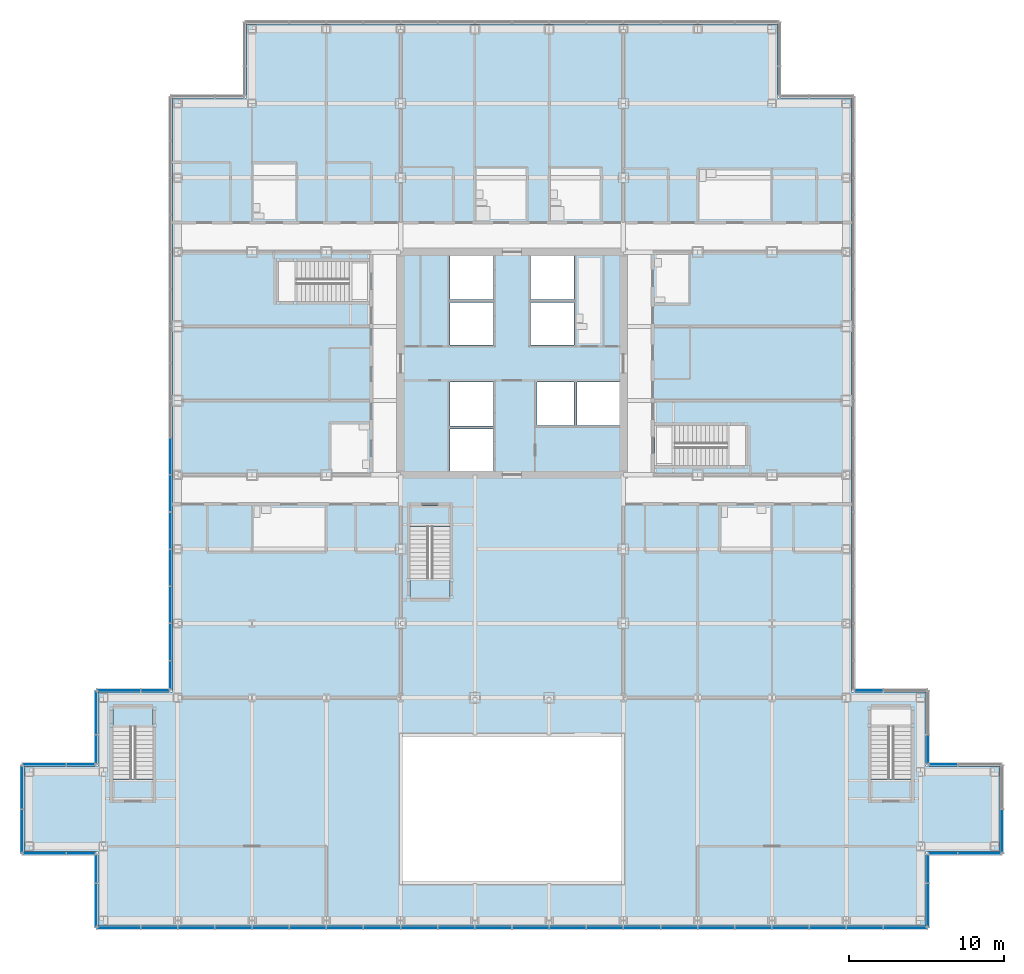
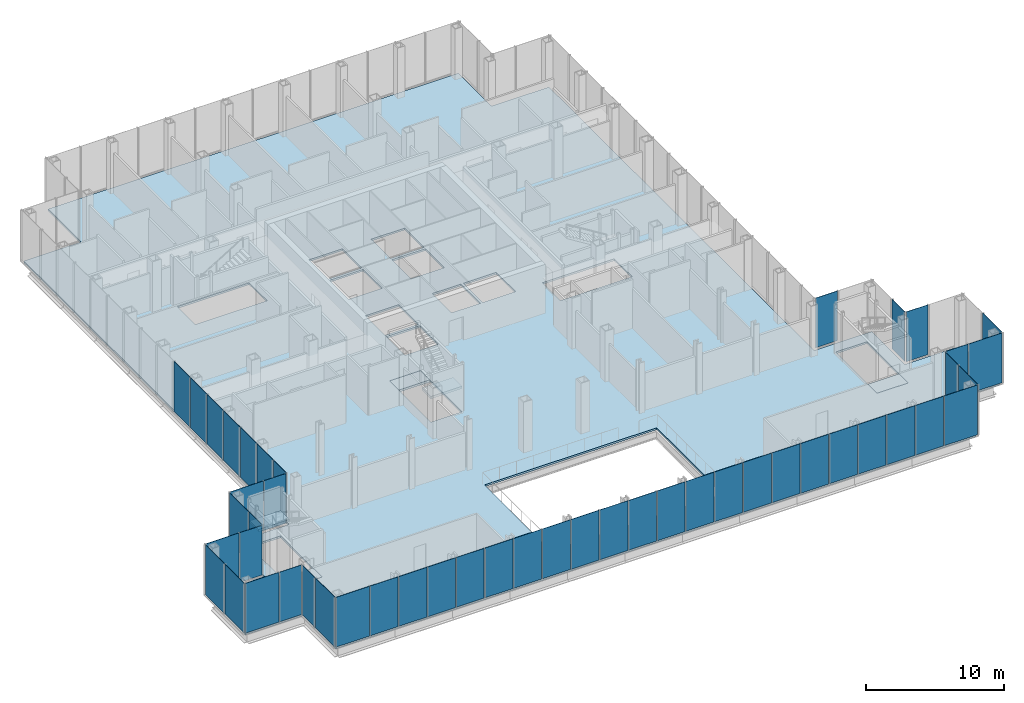
# One storey, part 17 of 25: 49 plates, 6 slabs, 17 elements without a shape of their own.
"""IFC4 building model written with IfcOpenShell, lengths in metres."""

import ifcopenshell
import ifcopenshell.guid

model = None  # the IFC model being written
_history = None  # IfcOwnerHistory: only IFC2X3 demands one
_inside = {}  # id of a spatial element -> (the spatial element, [elements in it])
_under = {}  # id of a project, library or spatial element -> (it, [spatial elements below it])
_declared = {}  # id of a project -> (the project, [libraries it declares])
_typed = {}  # id of a type object -> (the type object, [elements of that type])
_made_of = {}  # id of a material, layer set ... -> (it, [elements and type objects made of it])


def new_model(schema):
    """Start an empty IFC model of exactly this schema.

    Asked for "IFC4X3", IfcOpenShell would pick the latest addendum, in which some entities
    have other attributes; the version numbers below select the first issue.
    IFC2X3 requires an IfcOwnerHistory on every rooted entity: one is made here for all.
    """
    global model, _history
    if schema == "IFC4X3":
        model = ifcopenshell.file(schema_version=(4, 3, 0, 0))
    else:
        model = ifcopenshell.file(schema=schema)
    _inside.clear()
    _under.clear()
    _declared.clear()
    _typed.clear()
    _made_of.clear()
    _history = None
    if model.schema == "IFC2X3":
        org = make("IfcOrganization", Name="unknown")
        user = make(
            "IfcPersonAndOrganization",
            ThePerson=make("IfcPerson", FamilyName="unknown"),
            TheOrganization=org,
        )
        app = make(
            "IfcApplication",
            ApplicationDeveloper=org,
            Version="unknown",
            ApplicationFullName="unknown",
            ApplicationIdentifier="unknown",
        )
        _history = make(
            "IfcOwnerHistory",
            OwningUser=user,
            OwningApplication=app,
            ChangeAction="ADDED",
            CreationDate=0,
        )
    return model


def make(cls, **values):
    """One entity of the class cls with the attributes given. An attribute that is None is left unset."""
    return model.create_entity(
        cls, **{name: value for name, value in values.items() if value is not None}
    )


def rooted(cls, **values):
    """An entity with a GlobalId (a new one), such as an element, a storey or a relation."""
    return make(cls, GlobalId=ifcopenshell.guid.new(), OwnerHistory=_history, **values)


def si_unit(unit_type, name, prefix=None):
    """IfcSIUnit, for example si_unit("LENGTHUNIT", "METRE", prefix="MILLI")."""
    return make("IfcSIUnit", UnitType=unit_type, Prefix=prefix, Name=name)


def assignment(units):
    """IfcUnitAssignment: the units of a project."""
    return None if units is None else make("IfcUnitAssignment", Units=units)


def point(xyz):
    """IfcCartesianPoint."""
    return None if xyz is None else make("IfcCartesianPoint", Coordinates=xyz)


def direction(xyz):
    """IfcDirection."""
    return None if xyz is None else make("IfcDirection", DirectionRatios=xyz)


def frame(location, z_axis=None, x_axis=None):
    """IfcAxis2Placement3D, a coordinate frame: its origin and axes. An axis left out is left unset."""
    return make(
        "IfcAxis2Placement3D",
        Location=point(location),
        Axis=direction(z_axis),
        RefDirection=direction(x_axis),
    )


def frame_2d(location, x_axis=None):
    """IfcAxis2Placement2D, a coordinate frame in the plane: its origin and x axis."""
    return make(
        "IfcAxis2Placement2D", Location=point(location), RefDirection=direction(x_axis)
    )


def origin():
    """The frame at (0, 0, 0) with its axes left unset."""
    return frame((0.0, 0.0, 0.0))


def origin_2d():
    """The frame at (0, 0) in the plane with its x axis left unset."""
    return frame_2d((0.0, 0.0))


def place(relative_to, where):
    """IfcLocalPlacement: puts the frame where relative to a parent placement (None: the world)."""
    return make(
        "IfcLocalPlacement", PlacementRelTo=relative_to, RelativePlacement=where
    )


def context(
    kind, dimensions, precision=None, world=None, true_north=None, identifier=None
):
    """IfcGeometricRepresentationContext, for example the 3D "Model" context."""
    return make(
        "IfcGeometricRepresentationContext",
        ContextIdentifier=identifier,
        ContextType=kind,
        CoordinateSpaceDimension=dimensions,
        Precision=precision,
        WorldCoordinateSystem=world,
        TrueNorth=true_north,
    )


def subcontext(parent, identifier, kind, view, scale=None):
    """IfcGeometricRepresentationSubContext, for example "Body" below "Model"."""
    return make(
        "IfcGeometricRepresentationSubContext",
        ContextIdentifier=identifier,
        ContextType=kind,
        ParentContext=parent,
        TargetScale=scale,
        TargetView=view,
    )


def project(units=None, contexts=None):
    """IfcProject with its units and contexts."""
    return rooted(
        "IfcProject",
        Name="project",
        RepresentationContexts=contexts,
        UnitsInContext=assignment(units),
    )


def spatial(cls, under=None, at=None, **own):
    """A site, building, storey or space (cls), placed at a placement, below another one or the project."""
    s = rooted(cls, ObjectPlacement=at, **own)
    if under is not None:
        _under.setdefault(under.id(), (under, []))[1].append(s)
    return s


def polyline(points):
    """IfcPolyline through the points."""
    return make("IfcPolyline", Points=[point(p) for p in points])


def profile(cls, at=None, kind="AREA", **sizes):
    """A parametric profile (cls). Its sizes go by their IFC names, for example OverallWidth=200.0."""
    return make(cls, ProfileType=kind, Position=at, **sizes)


def rectangle(**sizes):
    """IfcRectangleProfileDef."""
    return profile("IfcRectangleProfileDef", **sizes)


def outline(outer, holes=None, kind="AREA"):
    """IfcArbitraryClosedProfileDef: a profile drawn as a closed curve; with holes, ...WithVoids."""
    if holes is None:
        return make("IfcArbitraryClosedProfileDef", ProfileType=kind, OuterCurve=outer)
    return make(
        "IfcArbitraryProfileDefWithVoids",
        ProfileType=kind,
        OuterCurve=outer,
        InnerCurves=holes,
    )


def extrude(swept, where, along, depth):
    """IfcExtrudedAreaSolid: the profile swept, set in the frame where, extruded along a direction by depth."""
    return make(
        "IfcExtrudedAreaSolid",
        SweptArea=swept,
        Position=where,
        ExtrudedDirection=direction(along),
        Depth=depth,
    )


def shape(context_of_items, identifier, shape_type, items):
    """IfcShapeRepresentation: the items that make up one representation, for example the "Body"."""
    return make(
        "IfcShapeRepresentation",
        ContextOfItems=context_of_items,
        RepresentationIdentifier=identifier,
        RepresentationType=shape_type,
        Items=items,
    )


def material(Name=None, Category=None):
    """IfcMaterial."""
    return make("IfcMaterial", Name=Name, Category=Category)


def layer(
    of_material, thickness, ventilated=None, Name=None, Category=None, Priority=None
):
    """IfcMaterialLayer: one layer of a wall or slab, of a material (None: an air gap)."""
    return make(
        "IfcMaterialLayer",
        Material=of_material,
        LayerThickness=thickness,
        IsVentilated=ventilated,
        Name=Name,
        Category=Category,
        Priority=Priority,
    )


def layer_set(layers, Name=None):
    """IfcMaterialLayerSet."""
    return make("IfcMaterialLayerSet", MaterialLayers=layers, LayerSetName=Name)


def made_of(thing, what):
    """Note that an element or type object is made of a material, layer set ...; save() writes the relation."""
    if what is not None:
        _made_of.setdefault(what.id(), (what, []))[1].append(thing)
    return thing


def type_object(cls, material=None, **own):
    """A type object (cls), such as IfcWallType, which elements share."""
    return made_of(rooted(cls, **own), material)


def element(
    cls,
    number,
    at=None,
    inside=None,
    cuts=None,
    type_object=None,
    material=None,
    context=None,
    identifier="Body",
    shape_type=None,
    held_by="IfcProductDefinitionShape",
    body=None,
    shapes=None,
    **own,
):
    """One element of the class cls, such as IfcWall. Its Tag is "e" and its number.

    at: its placement. inside: the storey or other place that contains it. cuts: it is an
    opening in that element (IfcRelVoidsElement). A single representation is given by context,
    identifier, shape_type and body (its items); several are given by shapes. held_by: the class
    of the entity that holds the representations. save() writes the other relations.
    """
    e = rooted(cls, Tag="e%d" % number, ObjectPlacement=at, **own)
    if body is not None:
        shapes = [shape(context, identifier, shape_type, body)]
    if shapes is not None:
        e.Representation = make(held_by, Representations=shapes)
    if inside is not None:
        _inside.setdefault(inside.id(), (inside, []))[1].append(e)
    if cuts is not None:
        rooted(
            "IfcRelVoidsElement", RelatingBuildingElement=cuts, RelatedOpeningElement=e
        )
    if type_object is not None:
        _typed.setdefault(type_object.id(), (type_object, []))[1].append(e)
    return made_of(e, material)


def aggregate(whole, parts):
    """IfcRelAggregates: a whole, such as a stair, and the parts it consists of."""
    return rooted("IfcRelAggregates", RelatingObject=whole, RelatedObjects=parts)


def save(model, path):
    """Write the relations noted so far, then the file.

    IfcRelAggregates (storeys below a building ...), IfcRelContainedInSpatialStructure (elements
    in a storey), IfcRelDefinesByType, IfcRelAssociatesMaterial and IfcRelDeclares: one each for
    every whole, place, type object, material and project.
    """
    for whole, parts in _under.values():
        aggregate(whole, parts)
    for where, things in _inside.values():
        rooted(
            "IfcRelContainedInSpatialStructure",
            RelatedElements=things,
            RelatingStructure=where,
        )
    for kind, things in _typed.values():
        rooted("IfcRelDefinesByType", RelatedObjects=things, RelatingType=kind)
    for what, things in _made_of.values():
        rooted("IfcRelAssociatesMaterial", RelatedObjects=things, RelatingMaterial=what)
    for by, libraries in _declared.values():
        rooted("IfcRelDeclares", RelatingContext=by, RelatedDefinitions=libraries)
    model.write(path)


model = new_model("IFC4")

# Units and contexts
model_context = context("Model", 3, precision=1e-05, world=origin(), true_north=direction((0.0, 1.0)))
body_context = subcontext(model_context, "Body", "Model", "MODEL_VIEW")
ifc_project = project(units=[si_unit("LENGTHUNIT", "METRE"), si_unit("AREAUNIT", "SQUARE_METRE"), si_unit("VOLUMEUNIT", "CUBIC_METRE"), si_unit("PLANEANGLEUNIT", "RADIAN"), si_unit("MASSUNIT", "GRAM", prefix="KILO")], contexts=[model_context])

# Site, building, storey
site_placement = place(None, origin())
site = spatial("IfcSite", under=ifc_project, at=site_placement, CompositionType="ELEMENT")
building_placement = place(site_placement, origin())
building = spatial("IfcBuilding", under=site, at=building_placement, Name="Kvirike Care Tower", CompositionType="ELEMENT")
storey_placement = place(building_placement, frame((0.0, 0.0, 9.0)))
storey = spatial("IfcBuildingStorey", under=building, at=storey_placement, Name="L02", CompositionType="ELEMENT", Elevation=9.0)

# Slab
ifc_material_1 = material(Name="Concrete C35/45", Category="concrete")
ifc_layer_1 = layer(ifc_material_1, 0.169921875)
ifc_layer_set_1 = layer_set([ifc_layer_1], Name="FLOOR SLAB 170")
slab_type_1 = type_object("IfcSlabType", Name="FLOOR SLAB 170", PredefinedType="FLOOR", material=ifc_layer_set_1)
slab_1_placement = place(storey_placement, frame((0.0, 0.0, -0.169921875)))
element("IfcSlab", 1, at=slab_1_placement, inside=storey, type_object=slab_type_1, Name="Floor slab L02", PredefinedType="FLOOR", context=body_context, shape_type="SweptSolid", body=[
    extrude(outline(polyline([(-5.14990234375, -0.35009765625), (48.35009765625, -0.35009765625), (48.35009765625, 4.449951171875), (53.14990234375, 4.449951171875), (53.14990234375, 9.949951171875), (48.35009765625, 9.949951171875), (48.35009765625, 14.75), (43.550048828125, 14.75), (43.550048828125, 53.14990234375), (38.75, 53.14990234375), (38.75, 57.949951171875), (4.449951171875, 57.949951171875), (4.449951171875, 53.14990234375), (-0.35009765625, 53.14990234375), (-0.35009765625, 14.75), (-5.14990234375, 14.75), (-5.14990234375, 9.949951171875), (-9.949951171875, 9.949951171875), (-9.949951171875, 4.449951171875), (-5.14990234375, 4.449951171875), (-5.14990234375, -0.35009765625)]), holes=[polyline([(17.60009765625, 29.050048828125), (17.60009765625, 31.75), (20.39990234375, 31.75), (20.39990234375, 29.050048828125), (17.60009765625, 29.050048828125)]), polyline([(17.60009765625, 31.949951171875), (17.60009765625, 34.800048828125), (20.39990234375, 34.800048828125), (20.39990234375, 31.949951171875), (17.60009765625, 31.949951171875)]), polyline([(17.60009765625, 37.199951171875), (17.60009765625, 39.949951171875), (20.39990234375, 39.949951171875), (20.39990234375, 37.199951171875), (17.60009765625, 37.199951171875)]), polyline([(17.60009765625, 40.14990234375), (17.60009765625, 42.949951171875), (20.39990234375, 42.949951171875), (20.39990234375, 40.14990234375), (17.60009765625, 40.14990234375)]), polyline([(22.800048828125, 37.199951171875), (22.800048828125, 39.949951171875), (25.60009765625, 39.949951171875), (25.60009765625, 37.199951171875), (22.800048828125, 37.199951171875)]), polyline([(22.800048828125, 40.14990234375), (22.800048828125, 42.949951171875), (25.60009765625, 42.949951171875), (25.60009765625, 40.14990234375), (22.800048828125, 40.14990234375)]), polyline([(23.199951171875, 32.0), (23.199951171875, 34.800048828125), (25.60009765625, 34.800048828125), (25.60009765625, 32.0), (23.199951171875, 32.0)]), polyline([(25.800048828125, 32.0), (25.800048828125, 34.800048828125), (28.550048828125, 34.800048828125), (28.550048828125, 32.0), (25.800048828125, 32.0)]), polyline([(14.39990234375, 2.39990234375), (14.39990234375, 12.0), (28.800048828125, 12.0), (28.800048828125, 2.39990234375), (14.39990234375, 2.39990234375)]), polyline([(12.39990234375, 42.60009765625), (12.39990234375, 40.0), (6.39990234375, 40.0), (6.39990234375, 42.60009765625), (12.39990234375, 42.60009765625)]), polyline([(30.800048828125, 29.39990234375), (30.800048828125, 32.0), (36.800048828125, 32.0), (36.800048828125, 29.39990234375), (30.800048828125, 29.39990234375)]), polyline([(-1.60009765625, 13.800048828125), (-1.60009765625, 7.800048828125), (-4.199951171875, 7.800048828125), (-4.199951171875, 13.800048828125), (-1.60009765625, 13.800048828125)]), polyline([(47.39990234375, 13.800048828125), (47.39990234375, 7.800048828125), (44.800048828125, 7.800048828125), (44.800048828125, 13.800048828125), (47.39990234375, 13.800048828125)]), polyline([(15.0, 26.800048828125), (17.60009765625, 26.800048828125), (17.60009765625, 20.800048828125), (15.0, 20.800048828125), (15.0, 26.800048828125)])]), origin(), (0.0, 0.0, 1.0), 0.169921875),
])

# Curtain wall, plates
ifc_material_2 = material(Name="Anodised aluminium stick system", Category="aluminium")
curtain_wall_type = type_object("IfcCurtainWallType", Name="CW-P PODIUM STICK CURTAIN WALL", PredefinedType="NOTDEFINED", material=ifc_material_2)
curtain_wall_1_placement = place(storey_placement, origin())
curtain_wall_1 = element("IfcCurtainWall", 2, at=curtain_wall_1_placement, inside=storey, type_object=curtain_wall_type, Name="Curtain wall L02 face 1", PredefinedType="NOTDEFINED")
ifc_material_3 = material(Name="Tinted double glazed unit", Category="glass")
ifc_layer_2 = layer(ifc_material_3, 0.031982421875)
ifc_layer_set_2 = layer_set([ifc_layer_2], Name="PODIUM VISION PANEL 32")
plate_type = type_object("IfcPlateType", Name="PODIUM VISION PANEL 32", PredefinedType="CURTAIN_PANEL", material=ifc_layer_set_2)
plate_1_placement = place(storey_placement, frame((-3.8212890625, -0.47509765625, 0.10009765625), z_axis=(0.0, 0.0, 1.0), x_axis=(1.0, 0.0, 0.0)))
plate_1 = element("IfcPlate", 3, at=plate_1_placement, type_object=plate_type, Name="CW-P panel L02 face 1.1", PredefinedType="CURTAIN_PANEL", context=body_context, shape_type="SweptSolid", body=[
    extrude(rectangle(XDim=2.777587890625, YDim=0.031982421875, at=origin_2d()), origin(), (0.0, 0.0, 1.0), 4.39990234375),
])
plate_2_placement = place(storey_placement, frame((-1.199951171875, -0.47509765625, 0.10009765625), z_axis=(0.0, 0.0, 1.0), x_axis=(1.0, 0.0, 0.0)))
plate_2 = element("IfcPlate", 4, at=plate_2_placement, type_object=plate_type, Name="CW-P panel L02 face 1.2", PredefinedType="CURTAIN_PANEL", context=body_context, shape_type="SweptSolid", body=[
    extrude(rectangle(XDim=2.3349609375, YDim=0.031982421875, at=origin_2d()), origin(), (0.0, 0.0, 1.0), 4.39990234375),
])
plate_3_placement = place(storey_placement, frame((1.199951171875, -0.47509765625, 0.10009765625), z_axis=(0.0, 0.0, 1.0), x_axis=(1.0, 0.0, 0.0)))
plate_3 = element("IfcPlate", 5, at=plate_3_placement, type_object=plate_type, Name="CW-P panel L02 face 1.3", PredefinedType="CURTAIN_PANEL", context=body_context, shape_type="SweptSolid", body=[
    extrude(rectangle(XDim=2.3349609375, YDim=0.031982421875, at=origin_2d()), origin(), (0.0, 0.0, 1.0), 4.39990234375),
])
plate_4_placement = place(storey_placement, frame((3.60009765625, -0.47509765625, 0.10009765625), z_axis=(0.0, 0.0, 1.0), x_axis=(1.0, 0.0, 0.0)))
plate_4 = element("IfcPlate", 6, at=plate_4_placement, type_object=plate_type, Name="CW-P panel L02 face 1.4", PredefinedType="CURTAIN_PANEL", context=body_context, shape_type="SweptSolid", body=[
    extrude(rectangle(XDim=2.3349609375, YDim=0.031982421875, at=origin_2d()), origin(), (0.0, 0.0, 1.0), 4.39990234375),
])
plate_5_placement = place(storey_placement, frame((6.0, -0.47509765625, 0.10009765625), z_axis=(0.0, 0.0, 1.0), x_axis=(1.0, 0.0, 0.0)))
plate_5 = element("IfcPlate", 7, at=plate_5_placement, type_object=plate_type, Name="CW-P panel L02 face 1.5", PredefinedType="CURTAIN_PANEL", context=body_context, shape_type="SweptSolid", body=[
    extrude(rectangle(XDim=2.3349609375, YDim=0.031982421875, at=origin_2d()), origin(), (0.0, 0.0, 1.0), 4.39990234375),
])
plate_6_placement = place(storey_placement, frame((8.39990234375, -0.47509765625, 0.10009765625), z_axis=(0.0, 0.0, 1.0), x_axis=(1.0, 0.0, 0.0)))
plate_6 = element("IfcPlate", 8, at=plate_6_placement, type_object=plate_type, Name="CW-P panel L02 face 1.6", PredefinedType="CURTAIN_PANEL", context=body_context, shape_type="SweptSolid", body=[
    extrude(rectangle(XDim=2.3349609375, YDim=0.031982421875, at=origin_2d()), origin(), (0.0, 0.0, 1.0), 4.39990234375),
])
plate_7_placement = place(storey_placement, frame((10.800048828125, -0.47509765625, 0.10009765625), z_axis=(0.0, 0.0, 1.0), x_axis=(1.0, 0.0, 0.0)))
plate_7 = element("IfcPlate", 9, at=plate_7_placement, type_object=plate_type, Name="CW-P panel L02 face 1.7", PredefinedType="CURTAIN_PANEL", context=body_context, shape_type="SweptSolid", body=[
    extrude(rectangle(XDim=2.3349609375, YDim=0.031982421875, at=origin_2d()), origin(), (0.0, 0.0, 1.0), 4.39990234375),
])
plate_8_placement = place(storey_placement, frame((13.199951171875, -0.47509765625, 0.10009765625), z_axis=(0.0, 0.0, 1.0), x_axis=(1.0, 0.0, 0.0)))
plate_8 = element("IfcPlate", 10, at=plate_8_placement, type_object=plate_type, Name="CW-P panel L02 face 1.8", PredefinedType="CURTAIN_PANEL", context=body_context, shape_type="SweptSolid", body=[
    extrude(rectangle(XDim=2.3349609375, YDim=0.031982421875, at=origin_2d()), origin(), (0.0, 0.0, 1.0), 4.39990234375),
])
plate_9_placement = place(storey_placement, frame((15.60009765625, -0.47509765625, 0.10009765625), z_axis=(0.0, 0.0, 1.0), x_axis=(1.0, 0.0, 0.0)))
plate_9 = element("IfcPlate", 11, at=plate_9_placement, type_object=plate_type, Name="CW-P panel L02 face 1.9", PredefinedType="CURTAIN_PANEL", context=body_context, shape_type="SweptSolid", body=[
    extrude(rectangle(XDim=2.3349609375, YDim=0.031982421875, at=origin_2d()), origin(), (0.0, 0.0, 1.0), 4.39990234375),
])
plate_10_placement = place(storey_placement, frame((18.0, -0.47509765625, 0.10009765625), z_axis=(0.0, 0.0, 1.0), x_axis=(1.0, 0.0, 0.0)))
plate_10 = element("IfcPlate", 12, at=plate_10_placement, type_object=plate_type, Name="CW-P panel L02 face 1.10", PredefinedType="CURTAIN_PANEL", context=body_context, shape_type="SweptSolid", body=[
    extrude(rectangle(XDim=2.3349609375, YDim=0.031982421875, at=origin_2d()), origin(), (0.0, 0.0, 1.0), 4.39990234375),
])
plate_11_placement = place(storey_placement, frame((20.39990234375, -0.47509765625, 0.10009765625), z_axis=(0.0, 0.0, 1.0), x_axis=(1.0, 0.0, 0.0)))
plate_11 = element("IfcPlate", 13, at=plate_11_placement, type_object=plate_type, Name="CW-P panel L02 face 1.11", PredefinedType="CURTAIN_PANEL", context=body_context, shape_type="SweptSolid", body=[
    extrude(rectangle(XDim=2.3349609375, YDim=0.031982421875, at=origin_2d()), origin(), (0.0, 0.0, 1.0), 4.39990234375),
])
plate_12_placement = place(storey_placement, frame((22.800048828125, -0.47509765625, 0.10009765625), z_axis=(0.0, 0.0, 1.0), x_axis=(1.0, 0.0, 0.0)))
plate_12 = element("IfcPlate", 14, at=plate_12_placement, type_object=plate_type, Name="CW-P panel L02 face 1.12", PredefinedType="CURTAIN_PANEL", context=body_context, shape_type="SweptSolid", body=[
    extrude(rectangle(XDim=2.3349609375, YDim=0.031982421875, at=origin_2d()), origin(), (0.0, 0.0, 1.0), 4.39990234375),
])
plate_13_placement = place(storey_placement, frame((25.199951171875, -0.47509765625, 0.10009765625), z_axis=(0.0, 0.0, 1.0), x_axis=(1.0, 0.0, 0.0)))
plate_13 = element("IfcPlate", 15, at=plate_13_placement, type_object=plate_type, Name="CW-P panel L02 face 1.13", PredefinedType="CURTAIN_PANEL", context=body_context, shape_type="SweptSolid", body=[
    extrude(rectangle(XDim=2.3349609375, YDim=0.031982421875, at=origin_2d()), origin(), (0.0, 0.0, 1.0), 4.39990234375),
])
plate_14_placement = place(storey_placement, frame((27.60009765625, -0.47509765625, 0.10009765625), z_axis=(0.0, 0.0, 1.0), x_axis=(1.0, 0.0, 0.0)))
plate_14 = element("IfcPlate", 16, at=plate_14_placement, type_object=plate_type, Name="CW-P panel L02 face 1.14", PredefinedType="CURTAIN_PANEL", context=body_context, shape_type="SweptSolid", body=[
    extrude(rectangle(XDim=2.3349609375, YDim=0.031982421875, at=origin_2d()), origin(), (0.0, 0.0, 1.0), 4.39990234375),
])
plate_15_placement = place(storey_placement, frame((30.0, -0.47509765625, 0.10009765625), z_axis=(0.0, 0.0, 1.0), x_axis=(1.0, 0.0, 0.0)))
plate_15 = element("IfcPlate", 17, at=plate_15_placement, type_object=plate_type, Name="CW-P panel L02 face 1.15", PredefinedType="CURTAIN_PANEL", context=body_context, shape_type="SweptSolid", body=[
    extrude(rectangle(XDim=2.3349609375, YDim=0.031982421875, at=origin_2d()), origin(), (0.0, 0.0, 1.0), 4.39990234375),
])
plate_16_placement = place(storey_placement, frame((32.39990234375, -0.47509765625, 0.10009765625), z_axis=(0.0, 0.0, 1.0), x_axis=(1.0, 0.0, 0.0)))
plate_16 = element("IfcPlate", 18, at=plate_16_placement, type_object=plate_type, Name="CW-P panel L02 face 1.16", PredefinedType="CURTAIN_PANEL", context=body_context, shape_type="SweptSolid", body=[
    extrude(rectangle(XDim=2.3349609375, YDim=0.031982421875, at=origin_2d()), origin(), (0.0, 0.0, 1.0), 4.39990234375),
])
plate_17_placement = place(storey_placement, frame((34.800048828125, -0.47509765625, 0.10009765625), z_axis=(0.0, 0.0, 1.0), x_axis=(1.0, 0.0, 0.0)))
plate_17 = element("IfcPlate", 19, at=plate_17_placement, type_object=plate_type, Name="CW-P panel L02 face 1.17", PredefinedType="CURTAIN_PANEL", context=body_context, shape_type="SweptSolid", body=[
    extrude(rectangle(XDim=2.3349609375, YDim=0.031982421875, at=origin_2d()), origin(), (0.0, 0.0, 1.0), 4.39990234375),
])
plate_18_placement = place(storey_placement, frame((37.199951171875, -0.47509765625, 0.10009765625), z_axis=(0.0, 0.0, 1.0), x_axis=(1.0, 0.0, 0.0)))
plate_18 = element("IfcPlate", 20, at=plate_18_placement, type_object=plate_type, Name="CW-P panel L02 face 1.18", PredefinedType="CURTAIN_PANEL", context=body_context, shape_type="SweptSolid", body=[
    extrude(rectangle(XDim=2.3349609375, YDim=0.031982421875, at=origin_2d()), origin(), (0.0, 0.0, 1.0), 4.39990234375),
])
plate_19_placement = place(storey_placement, frame((39.60009765625, -0.47509765625, 0.10009765625), z_axis=(0.0, 0.0, 1.0), x_axis=(1.0, 0.0, 0.0)))
plate_19 = element("IfcPlate", 21, at=plate_19_placement, type_object=plate_type, Name="CW-P panel L02 face 1.19", PredefinedType="CURTAIN_PANEL", context=body_context, shape_type="SweptSolid", body=[
    extrude(rectangle(XDim=2.3349609375, YDim=0.031982421875, at=origin_2d()), origin(), (0.0, 0.0, 1.0), 4.39990234375),
])
plate_20_placement = place(storey_placement, frame((42.0, -0.47509765625, 0.10009765625), z_axis=(0.0, 0.0, 1.0), x_axis=(1.0, 0.0, 0.0)))
plate_20 = element("IfcPlate", 22, at=plate_20_placement, type_object=plate_type, Name="CW-P panel L02 face 1.20", PredefinedType="CURTAIN_PANEL", context=body_context, shape_type="SweptSolid", body=[
    extrude(rectangle(XDim=2.3349609375, YDim=0.031982421875, at=origin_2d()), origin(), (0.0, 0.0, 1.0), 4.39990234375),
])
plate_21_placement = place(storey_placement, frame((44.39990234375, -0.47509765625, 0.10009765625), z_axis=(0.0, 0.0, 1.0), x_axis=(1.0, 0.0, 0.0)))
plate_21 = element("IfcPlate", 23, at=plate_21_placement, type_object=plate_type, Name="CW-P panel L02 face 1.21", PredefinedType="CURTAIN_PANEL", context=body_context, shape_type="SweptSolid", body=[
    extrude(rectangle(XDim=2.3349609375, YDim=0.031982421875, at=origin_2d()), origin(), (0.0, 0.0, 1.0), 4.39990234375),
])
plate_22_placement = place(storey_placement, frame((47.021240234375, -0.47509765625, 0.10009765625), z_axis=(0.0, 0.0, 1.0), x_axis=(1.0, 0.0, 0.0)))
plate_22 = element("IfcPlate", 24, at=plate_22_placement, type_object=plate_type, Name="CW-P panel L02 face 1.22", PredefinedType="CURTAIN_PANEL", context=body_context, shape_type="SweptSolid", body=[
    extrude(rectangle(XDim=2.777587890625, YDim=0.031982421875, at=origin_2d()), origin(), (0.0, 0.0, 1.0), 4.39990234375),
])
aggregate(curtain_wall_1, [plate_1, plate_2, plate_3, plate_4, plate_5, plate_6, plate_7, plate_8, plate_9, plate_10, plate_11, plate_12, plate_13, plate_14, plate_15, plate_16, plate_17, plate_18, plate_19, plate_20, plate_21, plate_22])

curtain_wall_2_placement = place(storey_placement, origin())
curtain_wall_2 = element("IfcCurtainWall", 25, at=curtain_wall_2_placement, inside=storey, type_object=curtain_wall_type, Name="Curtain wall L02 face 2", PredefinedType="NOTDEFINED")
plate_23_placement = place(storey_placement, frame((48.47509765625, 0.978759765625, 0.10009765625), z_axis=(0.0, 0.0, 1.0), x_axis=(0.0, 1.0, 0.0)))
plate_23 = element("IfcPlate", 26, at=plate_23_placement, type_object=plate_type, Name="CW-P panel L02 face 2.1", PredefinedType="CURTAIN_PANEL", context=body_context, shape_type="SweptSolid", body=[
    extrude(rectangle(XDim=2.777587890625, YDim=0.031982421875, at=origin_2d()), origin(), (0.0, 0.0, 1.0), 4.39990234375),
])
plate_24_placement = place(storey_placement, frame((48.47509765625, 3.34619140625, 0.10009765625), z_axis=(0.0, 0.0, 1.0), x_axis=(0.0, 1.0, 0.0)))
plate_24 = element("IfcPlate", 27, at=plate_24_placement, type_object=plate_type, Name="CW-P panel L02 face 2.2", PredefinedType="CURTAIN_PANEL", context=body_context, shape_type="SweptSolid", body=[
    extrude(rectangle(XDim=1.827392578125, YDim=0.031982421875, at=origin_2d()), origin(), (0.0, 0.0, 1.0), 4.39990234375),
])
aggregate(curtain_wall_2, [plate_23, plate_24])

curtain_wall_3_placement = place(storey_placement, origin())
curtain_wall_3 = element("IfcCurtainWall", 28, at=curtain_wall_3_placement, inside=storey, type_object=curtain_wall_type, Name="Curtain wall L02 face 3", PredefinedType="NOTDEFINED")
plate_25_placement = place(storey_placement, frame((49.453857421875, 4.324951171875, 0.10009765625), z_axis=(0.0, 0.0, 1.0), x_axis=(1.0, 0.0, 0.0)))
plate_25 = element("IfcPlate", 29, at=plate_25_placement, type_object=plate_type, Name="CW-P panel L02 face 3.1", PredefinedType="CURTAIN_PANEL", context=body_context, shape_type="SweptSolid", body=[
    extrude(rectangle(XDim=1.827392578125, YDim=0.031982421875, at=origin_2d()), origin(), (0.0, 0.0, 1.0), 4.39990234375),
])
plate_26_placement = place(storey_placement, frame((51.8212890625, 4.324951171875, 0.10009765625), z_axis=(0.0, 0.0, 1.0), x_axis=(1.0, 0.0, 0.0)))
plate_26 = element("IfcPlate", 30, at=plate_26_placement, type_object=plate_type, Name="CW-P panel L02 face 3.2", PredefinedType="CURTAIN_PANEL", context=body_context, shape_type="SweptSolid", body=[
    extrude(rectangle(XDim=2.777587890625, YDim=0.031982421875, at=origin_2d()), origin(), (0.0, 0.0, 1.0), 4.39990234375),
])
aggregate(curtain_wall_3, [plate_25, plate_26])

# Curtain wall, plate
curtain_wall_4_placement = place(storey_placement, origin())
curtain_wall_4 = element("IfcCurtainWall", 31, at=curtain_wall_4_placement, inside=storey, type_object=curtain_wall_type, Name="Curtain wall L02 face 4", PredefinedType="NOTDEFINED")
plate_27_placement = place(storey_placement, frame((53.27490234375, 5.77880859375, 0.10009765625), z_axis=(0.0, 0.0, 1.0), x_axis=(0.0, 1.0, 0.0)))
plate_27 = element("IfcPlate", 32, at=plate_27_placement, type_object=plate_type, Name="CW-P panel L02 face 4.1", PredefinedType="CURTAIN_PANEL", context=body_context, shape_type="SweptSolid", body=[
    extrude(rectangle(XDim=2.777587890625, YDim=0.031982421875, at=origin_2d()), origin(), (0.0, 0.0, 1.0), 4.39990234375),
])
aggregate(curtain_wall_4, [plate_27])

curtain_wall_5_placement = place(storey_placement, origin())
curtain_wall_5 = element("IfcCurtainWall", 33, at=curtain_wall_5_placement, inside=storey, type_object=curtain_wall_type, Name="Curtain wall L02 face 5", PredefinedType="NOTDEFINED")
plate_28_placement = place(storey_placement, frame((49.453857421875, 10.074951171875, 0.10009765625), z_axis=(0.0, 0.0, 1.0), x_axis=(-1.0, 0.0, 0.0)))
plate_28 = element("IfcPlate", 34, at=plate_28_placement, type_object=plate_type, Name="CW-P panel L02 face 5.2", PredefinedType="CURTAIN_PANEL", context=body_context, shape_type="SweptSolid", body=[
    extrude(rectangle(XDim=1.827392578125, YDim=0.031982421875, at=origin_2d()), origin(), (0.0, 0.0, 1.0), 4.39990234375),
])
aggregate(curtain_wall_5, [plate_28])

curtain_wall_6_placement = place(storey_placement, origin())
curtain_wall_6 = element("IfcCurtainWall", 35, at=curtain_wall_6_placement, inside=storey, type_object=curtain_wall_type, Name="Curtain wall L02 face 6", PredefinedType="NOTDEFINED")
plate_29_placement = place(storey_placement, frame((48.47509765625, 11.0537109375, 0.10009765625), z_axis=(0.0, 0.0, 1.0), x_axis=(0.0, 1.0, 0.0)))
plate_29 = element("IfcPlate", 36, at=plate_29_placement, type_object=plate_type, Name="CW-P panel L02 face 6.1", PredefinedType="CURTAIN_PANEL", context=body_context, shape_type="SweptSolid", body=[
    extrude(rectangle(XDim=1.827392578125, YDim=0.031982421875, at=origin_2d()), origin(), (0.0, 0.0, 1.0), 4.39990234375),
])
aggregate(curtain_wall_6, [plate_29])

curtain_wall_7_placement = place(storey_placement, origin())
curtain_wall_7 = element("IfcCurtainWall", 37, at=curtain_wall_7_placement, inside=storey, type_object=curtain_wall_type, Name="Curtain wall L02 face 7", PredefinedType="NOTDEFINED")
plate_30_placement = place(storey_placement, frame((44.65380859375, 14.875, 0.10009765625), z_axis=(0.0, 0.0, 1.0), x_axis=(-1.0, 0.0, 0.0)))
plate_30 = element("IfcPlate", 38, at=plate_30_placement, type_object=plate_type, Name="CW-P panel L02 face 7.2", PredefinedType="CURTAIN_PANEL", context=body_context, shape_type="SweptSolid", body=[
    extrude(rectangle(XDim=1.827392578125, YDim=0.031982421875, at=origin_2d()), origin(), (0.0, 0.0, 1.0), 4.39990234375),
])
aggregate(curtain_wall_7, [plate_30])

# Curtain wall, plates
curtain_wall_8_placement = place(storey_placement, origin())
curtain_wall_8 = element("IfcCurtainWall", 39, at=curtain_wall_8_placement, inside=storey, type_object=curtain_wall_type, Name="Curtain wall L02 face 14", PredefinedType="NOTDEFINED")
plate_31_placement = place(storey_placement, frame((-0.47509765625, 30.0, 0.10009765625), z_axis=(0.0, 0.0, 1.0), x_axis=(0.0, -1.0, 0.0)))
plate_31 = element("IfcPlate", 40, at=plate_31_placement, type_object=plate_type, Name="CW-P panel L02 face 14.10", PredefinedType="CURTAIN_PANEL", context=body_context, shape_type="SweptSolid", body=[
    extrude(rectangle(XDim=2.3349609375, YDim=0.031982421875, at=origin_2d()), origin(), (0.0, 0.0, 1.0), 4.39990234375),
])
plate_32_placement = place(storey_placement, frame((-0.47509765625, 27.60009765625, 0.10009765625), z_axis=(0.0, 0.0, 1.0), x_axis=(0.0, -1.0, 0.0)))
plate_32 = element("IfcPlate", 41, at=plate_32_placement, type_object=plate_type, Name="CW-P panel L02 face 14.11", PredefinedType="CURTAIN_PANEL", context=body_context, shape_type="SweptSolid", body=[
    extrude(rectangle(XDim=2.3349609375, YDim=0.031982421875, at=origin_2d()), origin(), (0.0, 0.0, 1.0), 4.39990234375),
])
plate_33_placement = place(storey_placement, frame((-0.47509765625, 25.199951171875, 0.10009765625), z_axis=(0.0, 0.0, 1.0), x_axis=(0.0, -1.0, 0.0)))
plate_33 = element("IfcPlate", 42, at=plate_33_placement, type_object=plate_type, Name="CW-P panel L02 face 14.12", PredefinedType="CURTAIN_PANEL", context=body_context, shape_type="SweptSolid", body=[
    extrude(rectangle(XDim=2.3349609375, YDim=0.031982421875, at=origin_2d()), origin(), (0.0, 0.0, 1.0), 4.39990234375),
])
plate_34_placement = place(storey_placement, frame((-0.47509765625, 22.800048828125, 0.10009765625), z_axis=(0.0, 0.0, 1.0), x_axis=(0.0, -1.0, 0.0)))
plate_34 = element("IfcPlate", 43, at=plate_34_placement, type_object=plate_type, Name="CW-P panel L02 face 14.13", PredefinedType="CURTAIN_PANEL", context=body_context, shape_type="SweptSolid", body=[
    extrude(rectangle(XDim=2.3349609375, YDim=0.031982421875, at=origin_2d()), origin(), (0.0, 0.0, 1.0), 4.39990234375),
])
plate_35_placement = place(storey_placement, frame((-0.47509765625, 20.39990234375, 0.10009765625), z_axis=(0.0, 0.0, 1.0), x_axis=(0.0, -1.0, 0.0)))
plate_35 = element("IfcPlate", 44, at=plate_35_placement, type_object=plate_type, Name="CW-P panel L02 face 14.14", PredefinedType="CURTAIN_PANEL", context=body_context, shape_type="SweptSolid", body=[
    extrude(rectangle(XDim=2.3349609375, YDim=0.031982421875, at=origin_2d()), origin(), (0.0, 0.0, 1.0), 4.39990234375),
])
plate_36_placement = place(storey_placement, frame((-0.47509765625, 18.0, 0.10009765625), z_axis=(0.0, 0.0, 1.0), x_axis=(0.0, -1.0, 0.0)))
plate_36 = element("IfcPlate", 45, at=plate_36_placement, type_object=plate_type, Name="CW-P panel L02 face 14.15", PredefinedType="CURTAIN_PANEL", context=body_context, shape_type="SweptSolid", body=[
    extrude(rectangle(XDim=2.3349609375, YDim=0.031982421875, at=origin_2d()), origin(), (0.0, 0.0, 1.0), 4.39990234375),
])
plate_37_placement = place(storey_placement, frame((-0.47509765625, 15.853759765625, 0.10009765625), z_axis=(0.0, 0.0, 1.0), x_axis=(0.0, -1.0, 0.0)))
plate_37 = element("IfcPlate", 46, at=plate_37_placement, type_object=plate_type, Name="CW-P panel L02 face 14.16", PredefinedType="CURTAIN_PANEL", context=body_context, shape_type="SweptSolid", body=[
    extrude(rectangle(XDim=1.827392578125, YDim=0.031982421875, at=origin_2d()), origin(), (0.0, 0.0, 1.0), 4.39990234375),
])
aggregate(curtain_wall_8, [plate_31, plate_32, plate_33, plate_34, plate_35, plate_36, plate_37])

curtain_wall_9_placement = place(storey_placement, origin())
curtain_wall_9 = element("IfcCurtainWall", 47, at=curtain_wall_9_placement, inside=storey, type_object=curtain_wall_type, Name="Curtain wall L02 face 15", PredefinedType="NOTDEFINED")
plate_38_placement = place(storey_placement, frame((-1.453857421875, 14.875, 0.10009765625), z_axis=(0.0, 0.0, 1.0), x_axis=(-1.0, 0.0, 0.0)))
plate_38 = element("IfcPlate", 48, at=plate_38_placement, type_object=plate_type, Name="CW-P panel L02 face 15.1", PredefinedType="CURTAIN_PANEL", context=body_context, shape_type="SweptSolid", body=[
    extrude(rectangle(XDim=1.827392578125, YDim=0.031982421875, at=origin_2d()), origin(), (0.0, 0.0, 1.0), 4.39990234375),
])
plate_39_placement = place(storey_placement, frame((-3.8212890625, 14.875, 0.10009765625), z_axis=(0.0, 0.0, 1.0), x_axis=(-1.0, 0.0, 0.0)))
plate_39 = element("IfcPlate", 49, at=plate_39_placement, type_object=plate_type, Name="CW-P panel L02 face 15.2", PredefinedType="CURTAIN_PANEL", context=body_context, shape_type="SweptSolid", body=[
    extrude(rectangle(XDim=2.777587890625, YDim=0.031982421875, at=origin_2d()), origin(), (0.0, 0.0, 1.0), 4.39990234375),
])
aggregate(curtain_wall_9, [plate_38, plate_39])

curtain_wall_10_placement = place(storey_placement, origin())
curtain_wall_10 = element("IfcCurtainWall", 50, at=curtain_wall_10_placement, inside=storey, type_object=curtain_wall_type, Name="Curtain wall L02 face 16", PredefinedType="NOTDEFINED")
plate_40_placement = place(storey_placement, frame((-5.27490234375, 13.421142578125, 0.10009765625), z_axis=(0.0, 0.0, 1.0), x_axis=(0.0, -1.0, 0.0)))
plate_40 = element("IfcPlate", 51, at=plate_40_placement, type_object=plate_type, Name="CW-P panel L02 face 16.1", PredefinedType="CURTAIN_PANEL", context=body_context, shape_type="SweptSolid", body=[
    extrude(rectangle(XDim=2.777587890625, YDim=0.031982421875, at=origin_2d()), origin(), (0.0, 0.0, 1.0), 4.39990234375),
])
plate_41_placement = place(storey_placement, frame((-5.27490234375, 11.0537109375, 0.10009765625), z_axis=(0.0, 0.0, 1.0), x_axis=(0.0, -1.0, 0.0)))
plate_41 = element("IfcPlate", 52, at=plate_41_placement, type_object=plate_type, Name="CW-P panel L02 face 16.2", PredefinedType="CURTAIN_PANEL", context=body_context, shape_type="SweptSolid", body=[
    extrude(rectangle(XDim=1.827392578125, YDim=0.031982421875, at=origin_2d()), origin(), (0.0, 0.0, 1.0), 4.39990234375),
])
aggregate(curtain_wall_10, [plate_40, plate_41])

curtain_wall_11_placement = place(storey_placement, origin())
curtain_wall_11 = element("IfcCurtainWall", 53, at=curtain_wall_11_placement, inside=storey, type_object=curtain_wall_type, Name="Curtain wall L02 face 17", PredefinedType="NOTDEFINED")
plate_42_placement = place(storey_placement, frame((-6.253662109375, 10.074951171875, 0.10009765625), z_axis=(0.0, 0.0, 1.0), x_axis=(-1.0, 0.0, 0.0)))
plate_42 = element("IfcPlate", 54, at=plate_42_placement, type_object=plate_type, Name="CW-P panel L02 face 17.1", PredefinedType="CURTAIN_PANEL", context=body_context, shape_type="SweptSolid", body=[
    extrude(rectangle(XDim=1.827392578125, YDim=0.031982421875, at=origin_2d()), origin(), (0.0, 0.0, 1.0), 4.39990234375),
])
plate_43_placement = place(storey_placement, frame((-8.621337890625, 10.074951171875, 0.10009765625), z_axis=(0.0, 0.0, 1.0), x_axis=(-1.0, 0.0, 0.0)))
plate_43 = element("IfcPlate", 55, at=plate_43_placement, type_object=plate_type, Name="CW-P panel L02 face 17.2", PredefinedType="CURTAIN_PANEL", context=body_context, shape_type="SweptSolid", body=[
    extrude(rectangle(XDim=2.777587890625, YDim=0.031982421875, at=origin_2d()), origin(), (0.0, 0.0, 1.0), 4.39990234375),
])
aggregate(curtain_wall_11, [plate_42, plate_43])

curtain_wall_12_placement = place(storey_placement, origin())
curtain_wall_12 = element("IfcCurtainWall", 56, at=curtain_wall_12_placement, inside=storey, type_object=curtain_wall_type, Name="Curtain wall L02 face 18", PredefinedType="NOTDEFINED")
plate_44_placement = place(storey_placement, frame((-10.074951171875, 8.621337890625, 0.10009765625), z_axis=(0.0, 0.0, 1.0), x_axis=(0.0, -1.0, 0.0)))
plate_44 = element("IfcPlate", 57, at=plate_44_placement, type_object=plate_type, Name="CW-P panel L02 face 18.1", PredefinedType="CURTAIN_PANEL", context=body_context, shape_type="SweptSolid", body=[
    extrude(rectangle(XDim=2.777587890625, YDim=0.031982421875, at=origin_2d()), origin(), (0.0, 0.0, 1.0), 4.39990234375),
])
plate_45_placement = place(storey_placement, frame((-10.074951171875, 5.77880859375, 0.10009765625), z_axis=(0.0, 0.0, 1.0), x_axis=(0.0, -1.0, 0.0)))
plate_45 = element("IfcPlate", 58, at=plate_45_placement, type_object=plate_type, Name="CW-P panel L02 face 18.2", PredefinedType="CURTAIN_PANEL", context=body_context, shape_type="SweptSolid", body=[
    extrude(rectangle(XDim=2.777587890625, YDim=0.031982421875, at=origin_2d()), origin(), (0.0, 0.0, 1.0), 4.39990234375),
])
aggregate(curtain_wall_12, [plate_44, plate_45])

curtain_wall_13_placement = place(storey_placement, origin())
curtain_wall_13 = element("IfcCurtainWall", 59, at=curtain_wall_13_placement, inside=storey, type_object=curtain_wall_type, Name="Curtain wall L02 face 19", PredefinedType="NOTDEFINED")
plate_46_placement = place(storey_placement, frame((-8.621337890625, 4.324951171875, 0.10009765625), z_axis=(0.0, 0.0, 1.0), x_axis=(1.0, 0.0, 0.0)))
plate_46 = element("IfcPlate", 60, at=plate_46_placement, type_object=plate_type, Name="CW-P panel L02 face 19.1", PredefinedType="CURTAIN_PANEL", context=body_context, shape_type="SweptSolid", body=[
    extrude(rectangle(XDim=2.777587890625, YDim=0.031982421875, at=origin_2d()), origin(), (0.0, 0.0, 1.0), 4.39990234375),
])
plate_47_placement = place(storey_placement, frame((-6.253662109375, 4.324951171875, 0.10009765625), z_axis=(0.0, 0.0, 1.0), x_axis=(1.0, 0.0, 0.0)))
plate_47 = element("IfcPlate", 61, at=plate_47_placement, type_object=plate_type, Name="CW-P panel L02 face 19.2", PredefinedType="CURTAIN_PANEL", context=body_context, shape_type="SweptSolid", body=[
    extrude(rectangle(XDim=1.827392578125, YDim=0.031982421875, at=origin_2d()), origin(), (0.0, 0.0, 1.0), 4.39990234375),
])
aggregate(curtain_wall_13, [plate_46, plate_47])

curtain_wall_14_placement = place(storey_placement, origin())
curtain_wall_14 = element("IfcCurtainWall", 62, at=curtain_wall_14_placement, inside=storey, type_object=curtain_wall_type, Name="Curtain wall L02 face 20", PredefinedType="NOTDEFINED")
plate_48_placement = place(storey_placement, frame((-5.27490234375, 3.34619140625, 0.10009765625), z_axis=(0.0, 0.0, 1.0), x_axis=(0.0, -1.0, 0.0)))
plate_48 = element("IfcPlate", 63, at=plate_48_placement, type_object=plate_type, Name="CW-P panel L02 face 20.1", PredefinedType="CURTAIN_PANEL", context=body_context, shape_type="SweptSolid", body=[
    extrude(rectangle(XDim=1.827392578125, YDim=0.031982421875, at=origin_2d()), origin(), (0.0, 0.0, 1.0), 4.39990234375),
])
plate_49_placement = place(storey_placement, frame((-5.27490234375, 0.978759765625, 0.10009765625), z_axis=(0.0, 0.0, 1.0), x_axis=(0.0, -1.0, 0.0)))
plate_49 = element("IfcPlate", 64, at=plate_49_placement, type_object=plate_type, Name="CW-P panel L02 face 20.2", PredefinedType="CURTAIN_PANEL", context=body_context, shape_type="SweptSolid", body=[
    extrude(rectangle(XDim=2.777587890625, YDim=0.031982421875, at=origin_2d()), origin(), (0.0, 0.0, 1.0), 4.39990234375),
])
aggregate(curtain_wall_14, [plate_48, plate_49])

# Stair, slabs
ifc_material_4 = material(Name="Concrete C35/45", Category="concrete")
stair_type = type_object("IfcStairType", Name="STAIR 26 RISERS", PredefinedType="HALF_TURN_STAIR", material=ifc_material_4)
stair_1_placement = place(storey_placement, origin())
stair_1 = element("IfcStair", 65, at=stair_1_placement, inside=storey, type_object=stair_type, Name="Stair 3 L02", PredefinedType="HALF_TURN_STAIR")
ifc_material_5 = material(Name="Concrete C35/45", Category="concrete")
ifc_layer_3 = layer(ifc_material_5, 0.199951171875)
ifc_layer_set_3 = layer_set([ifc_layer_3], Name="STAIR LANDING 200")
slab_type_2 = type_object("IfcSlabType", Name="STAIR LANDING 200", PredefinedType="LANDING", material=ifc_layer_set_3)
slab_2_placement = place(storey_placement, frame((0.0, 0.0, -0.199951171875)))
slab_2 = element("IfcSlab", 66, at=slab_2_placement, type_object=slab_type_2, Name="Stair S3 floor landing L02", PredefinedType="LANDING", context=body_context, shape_type="SweptSolid", body=[
    extrude(outline(polyline([(-4.199951171875, 7.800048828125), (-1.60009765625, 7.800048828125), (-1.60009765625, 9.139892578125), (-4.199951171875, 9.139892578125), (-4.199951171875, 7.800048828125)])), origin(), (0.0, 0.0, 1.0), 0.199951171875),
])
slab_3_placement = place(storey_placement, frame((0.0, 0.0, 2.050048828125)))
slab_3 = element("IfcSlab", 67, at=slab_3_placement, type_object=slab_type_2, Name="Stair S3 half landing L02-L03", PredefinedType="LANDING", context=body_context, shape_type="SweptSolid", body=[
    extrude(outline(polyline([(-4.199951171875, 12.5), (-1.60009765625, 12.5), (-1.60009765625, 13.800048828125), (-4.199951171875, 13.800048828125), (-4.199951171875, 12.5)])), origin(), (0.0, 0.0, 1.0), 0.199951171875),
])
aggregate(stair_1, [slab_2, slab_3])

# Stair, slab
stair_2_placement = place(storey_placement, origin())
stair_2 = element("IfcStair", 68, at=stair_2_placement, inside=storey, type_object=stair_type, Name="Stair 4 L02", PredefinedType="HALF_TURN_STAIR")
slab_4_placement = place(storey_placement, frame((0.0, 0.0, -0.199951171875)))
slab_4 = element("IfcSlab", 69, at=slab_4_placement, type_object=slab_type_2, Name="Stair S4 floor landing L02", PredefinedType="LANDING", context=body_context, shape_type="SweptSolid", body=[
    extrude(outline(polyline([(44.800048828125, 7.800048828125), (47.39990234375, 7.800048828125), (47.39990234375, 9.139892578125), (44.800048828125, 9.139892578125), (44.800048828125, 7.800048828125)])), origin(), (0.0, 0.0, 1.0), 0.199951171875),
])
aggregate(stair_2, [slab_4])

# Stair, slabs
stair_3_placement = place(storey_placement, origin())
stair_3 = element("IfcStair", 70, at=stair_3_placement, inside=storey, type_object=stair_type, Name="Stair 5 L02", PredefinedType="HALF_TURN_STAIR")
slab_5_placement = place(storey_placement, frame((0.0, 0.0, -0.199951171875)))
slab_5 = element("IfcSlab", 71, at=slab_5_placement, type_object=slab_type_2, Name="Stair S5 floor landing L02", PredefinedType="LANDING", context=body_context, shape_type="SweptSolid", body=[
    extrude(outline(polyline([(15.0, 25.4599609375), (17.60009765625, 25.4599609375), (17.60009765625, 26.800048828125), (15.0, 26.800048828125), (15.0, 25.4599609375)])), origin(), (0.0, 0.0, 1.0), 0.199951171875),
])
slab_6_placement = place(storey_placement, frame((0.0, 0.0, 2.050048828125)))
slab_6 = element("IfcSlab", 72, at=slab_6_placement, type_object=slab_type_2, Name="Stair S5 half landing L02-L03", PredefinedType="LANDING", context=body_context, shape_type="SweptSolid", body=[
    extrude(outline(polyline([(15.0, 20.800048828125), (17.60009765625, 20.800048828125), (17.60009765625, 22.10009765625), (15.0, 22.10009765625), (15.0, 20.800048828125)])), origin(), (0.0, 0.0, 1.0), 0.199951171875),
])
aggregate(stair_3, [slab_5, slab_6])

save(model, "model.ifc")
